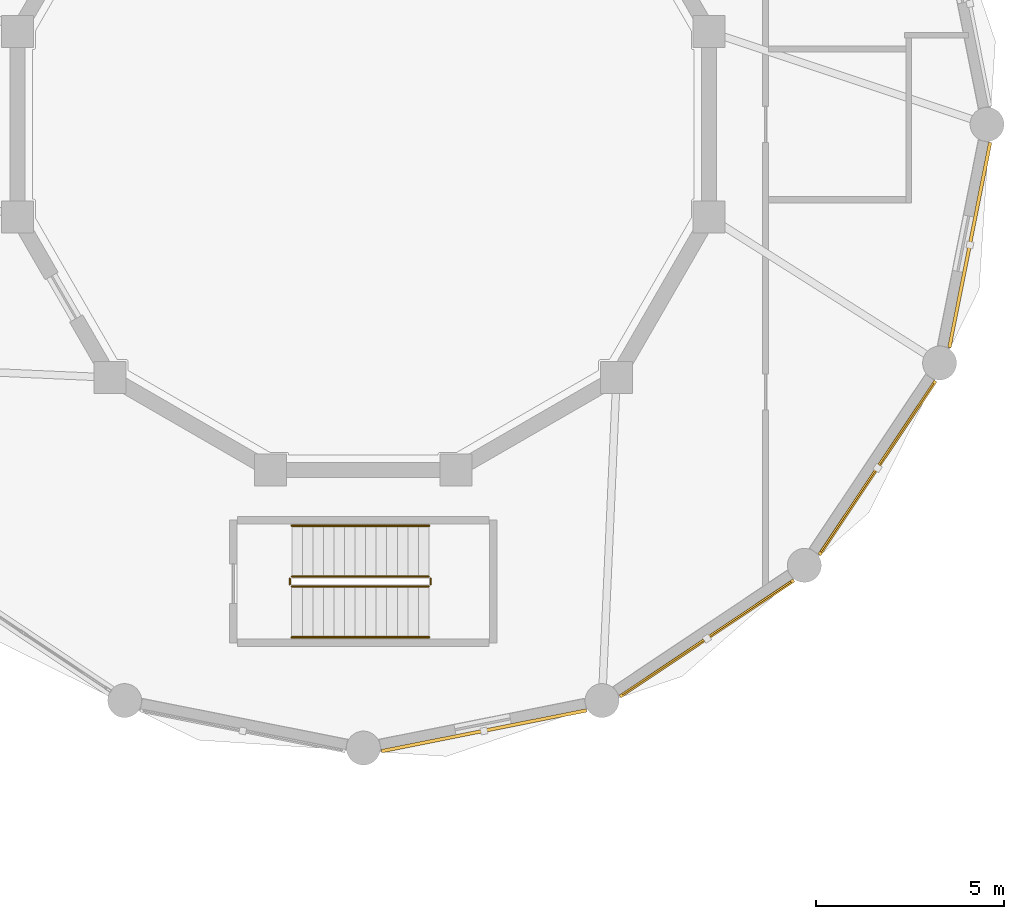
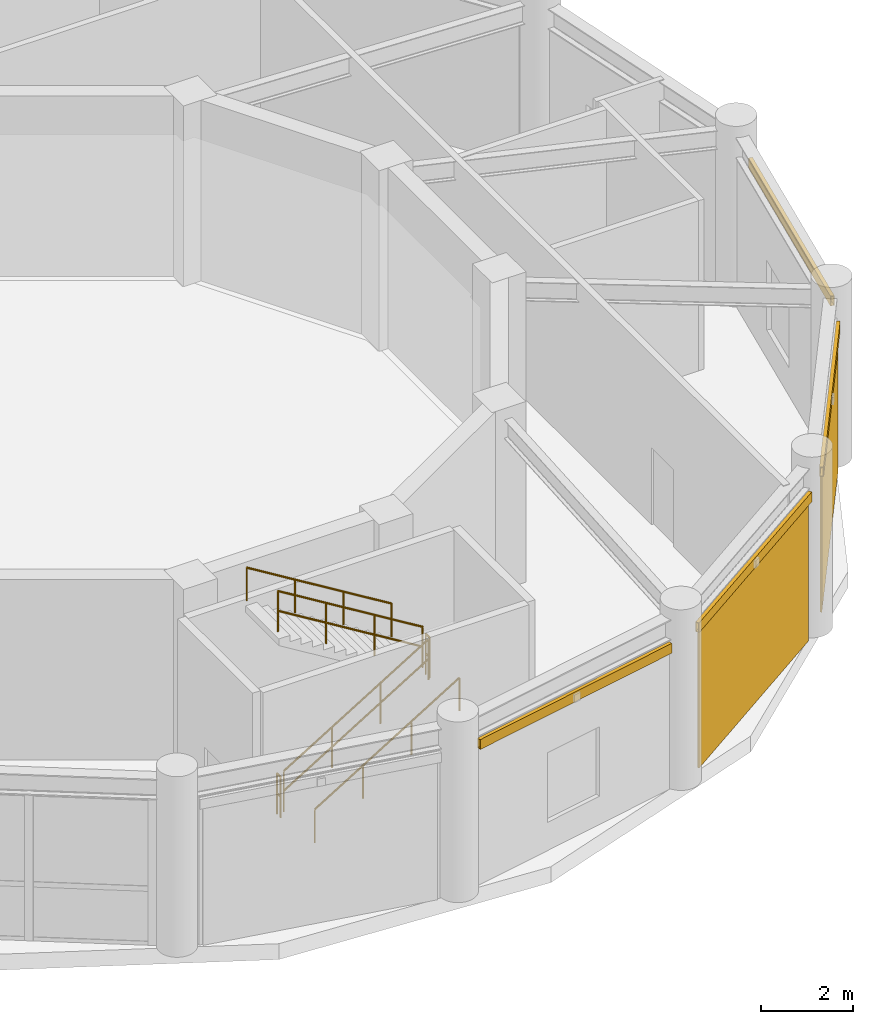
# One storey, part 45 of 48: 6 railings, 4 shading devices, 2 coverings.
"""IFC4 building model written with IfcOpenShell, lengths in metres."""

from ifc_helpers import new_model, si_unit, derived_unit, direction, frame, origin, origin_2d, place, context, subcontext, project, spatial, polyline, hollow_rectangle, circle, outline, extrude, source, transform, mapped, material, layer, layer_set, material_profile, profile_set, type_object, element, save


model = new_model("IFC4")

# Units and contexts
model_context = context("Model", 3, precision=1e-05, world=origin(), true_north=direction((0.0, 1.0)))
body_context = subcontext(model_context, "Body", "Model", "MODEL_VIEW")
ifc_project = project(units=[si_unit("LENGTHUNIT", "METRE"), si_unit("AREAUNIT", "SQUARE_METRE"), si_unit("VOLUMEUNIT", "CUBIC_METRE"), si_unit("PLANEANGLEUNIT", "RADIAN"), si_unit("MASSUNIT", "GRAM", prefix="KILO"), derived_unit("THERMALTRANSMITTANCEUNIT", [(si_unit("POWERUNIT", "WATT"), 1), (si_unit("LENGTHUNIT", "METRE"), -2), (si_unit("THERMODYNAMICTEMPERATUREUNIT", "KELVIN"), -1)])], contexts=[model_context])

# Site, building, storey
site_placement = place(None, origin())
site = spatial("IfcSite", under=ifc_project, at=site_placement, CompositionType="ELEMENT")
building_placement = place(site_placement, origin())
building = spatial("IfcBuilding", under=site, at=building_placement, Name="Korsvarv Bourse and Concert Hall", CompositionType="ELEMENT")
storey_placement = place(building_placement, frame((0.0, 0.0, 4.800048828125)))
storey = spatial("IfcBuildingStorey", under=building, at=storey_placement, Name="L01", CompositionType="ELEMENT", Elevation=4.800048828125)

# Coverings
ifc_material_1 = material(Name="Warm iron-oxide extruded terracotta rainscreen tile", Category="ceramic")
ifc_layer = layer(ifc_material_1, 0.044921875)
ifc_layer_set = layer_set([ifc_layer], Name="Warm iron-oxide extruded terracotta rainscreen tile")
covering_type = type_object("IfcCoveringType", Name="COV-CLD-TC", PredefinedType="CLADDING", material=ifc_layer_set)
covering_1_placement = place(storey_placement, origin())
element("IfcCovering", 1, at=covering_1_placement, inside=storey, type_object=covering_type, Name="L01 fluted terracotta cladding panel EW-L01-CHD14", PredefinedType="CLADDING", context=body_context, shape_type="SweptSolid", body=[
    extrude(outline(polyline([(113.6533203125, 20.894775390625), (118.1328125, 23.887939453125), (118.15771484375, 23.8505859375), (113.67822265625, 20.857421875), (113.6533203125, 20.894775390625)])), origin(), (0.0, 0.0, 1.0), 3.6298828125),
])
covering_2_placement = place(storey_placement, origin())
element("IfcCovering", 2, at=covering_2_placement, inside=storey, type_object=covering_type, Name="L01 fluted terracotta cladding panel EW-L01-CHD15", PredefinedType="CLADDING", context=body_context, shape_type="SweptSolid", body=[
    extrude(outline(polyline([(118.912109375, 24.667236328125), (121.9052734375, 29.146728515625), (121.942626953125, 29.121826171875), (118.949462890625, 24.64208984375), (118.912109375, 24.667236328125)])), origin(), (0.0, 0.0, 1.0), 3.6298828125),
])

# Railings
ifc_material_2 = material(Name="Painted Steel S355 stair well guardrail", Category="steel")
railing_type_1 = type_object("IfcRailingType", Name="RL-ST-GRD", PredefinedType="GUARDRAIL", material=ifc_material_2)
railing_1_placement = place(storey_placement, frame((104.89990234375, 23.739990234375, 0.17138671875)))
element("IfcRailing", 3, at=railing_1_placement, inside=storey, type_object=railing_type_1, Name="L01 ST-CH2 stair guard 1", PredefinedType="GUARDRAIL", context=body_context, shape_type="SweptSolid", body=[
    extrude(circle(Radius=0.02392578125, at=origin_2d()), frame((0.0, 0.0, 1.076171875), z_axis=(0.852865859571, 0.0, 0.52213008492), x_axis=(0.0, 1.0, 0.0)), (0.0, 0.0, 1.0), 4.26806640625),
    extrude(circle(Radius=0.02392578125, at=origin_2d()), frame((0.0, 0.0, 0.550048828125), z_axis=(0.852865859571, 0.0, 0.52213008492), x_axis=(0.0, 1.0, 0.0)), (0.0, 0.0, 1.0), 4.26806640625),
    extrude(circle(Radius=0.02099609375, at=origin_2d()), origin(), (0.0, 0.0, 1.0), 1.052001953125),
    extrude(circle(Radius=0.02099609375, at=origin_2d()), frame((1.21337890625, 0.0, 0.742919921875)), (0.0, 0.0, 1.0), 1.052001953125),
    extrude(circle(Radius=0.02099609375, at=origin_2d()), frame((2.4267578125, 0.0, 1.485595703125)), (0.0, 0.0, 1.0), 1.052001953125),
    extrude(circle(Radius=0.02099609375, at=origin_2d()), frame((3.64013671875, 0.0, 2.228515625)), (0.0, 0.0, 1.0), 1.052001953125),
])
railing_2_placement = place(storey_placement, frame((108.590087890625, 23.7900390625, 2.39990234375)))
element("IfcRailing", 4, at=railing_2_placement, inside=storey, type_object=railing_type_1, Name="L01 ST-CH2 stair guard 2", PredefinedType="GUARDRAIL", context=body_context, shape_type="SweptSolid", body=[
    extrude(circle(Radius=0.02392578125, at=origin_2d()), frame((0.0, 0.0, 1.076171875), z_axis=(0.0, 1.0, 0.0), x_axis=(-1.0, 0.0, 0.0)), (0.0, 0.0, 1.0), 0.159912109375),
    extrude(circle(Radius=0.02392578125, at=origin_2d()), frame((0.0, 0.0, 0.550048828125), z_axis=(0.0, 1.0, 0.0), x_axis=(-1.0, 0.0, 0.0)), (0.0, 0.0, 1.0), 0.159912109375),
    extrude(circle(Radius=0.02099609375, at=origin_2d()), origin(), (0.0, 0.0, 1.0), 1.052001953125),
    extrude(circle(Radius=0.02099609375, at=origin_2d()), frame((0.0, 0.159912109375, 0.0)), (0.0, 0.0, 1.0), 1.052001953125),
])
railing_3_placement = place(storey_placement, frame((108.5400390625, 24.0, 2.5712890625)))
element("IfcRailing", 5, at=railing_3_placement, inside=storey, type_object=railing_type_1, Name="L01 ST-CH2 stair guard 3", PredefinedType="GUARDRAIL", context=body_context, shape_type="SweptSolid", body=[
    extrude(circle(Radius=0.02392578125, at=origin_2d()), frame((0.0, 0.0, 1.076171875), z_axis=(-0.852840387347, 0.0, 0.522171689878), x_axis=(0.0, -1.0, 0.0)), (0.0, 0.0, 1.0), 4.268310546875),
    extrude(circle(Radius=0.02392578125, at=origin_2d()), frame((0.0, 0.0, 0.550048828125), z_axis=(-0.852840387347, 0.0, 0.522171689878), x_axis=(0.0, -1.0, 0.0)), (0.0, 0.0, 1.0), 4.268310546875),
    extrude(circle(Radius=0.02099609375, at=origin_2d()), origin(), (0.0, 0.0, 1.0), 1.052001953125),
    extrude(circle(Radius=0.02099609375, at=origin_2d()), frame((-1.21337890625, 0.0, 0.742919921875)), (0.0, 0.0, 1.0), 1.052001953125),
    extrude(circle(Radius=0.02099609375, at=origin_2d()), frame((-2.4267578125, 0.0, 1.48583984375)), (0.0, 0.0, 1.0), 1.052001953125),
    extrude(circle(Radius=0.02099609375, at=origin_2d()), frame((-3.64013671875, 0.0, 2.228759765625)), (0.0, 0.0, 1.0), 1.052001953125),
])
railing_4_placement = place(storey_placement, frame((104.85009765625, 23.7900390625, 0.0)))
element("IfcRailing", 6, at=railing_4_placement, inside=storey, type_object=railing_type_1, Name="L01 ST-CH2 stair guard 4", PredefinedType="GUARDRAIL", context=body_context, shape_type="SweptSolid", body=[
    extrude(circle(Radius=0.02392578125, at=origin_2d()), frame((0.0, 0.0, 1.076171875), z_axis=(0.0, 1.0, 0.0), x_axis=(-1.0, 0.0, 0.0)), (0.0, 0.0, 1.0), 0.159912109375),
    extrude(circle(Radius=0.02392578125, at=origin_2d()), frame((0.0, 0.0, 0.550048828125), z_axis=(0.0, 1.0, 0.0), x_axis=(-1.0, 0.0, 0.0)), (0.0, 0.0, 1.0), 0.159912109375),
    extrude(circle(Radius=0.02099609375, at=origin_2d()), origin(), (0.0, 0.0, 1.0), 1.052001953125),
    extrude(circle(Radius=0.02099609375, at=origin_2d()), frame((0.0, 0.159912109375, 0.0)), (0.0, 0.0, 1.0), 1.052001953125),
])
ifc_material_3 = material(Name="Brushed stainless Steel S355 tubular handrail", Category="steel")
railing_type_2 = type_object("IfcRailingType", Name="RL-ST-HND", PredefinedType="HANDRAIL", material=ifc_material_3)
railing_5_placement = place(storey_placement, frame((104.89990234375, 22.389892578125, 0.17138671875)))
element("IfcRailing", 7, at=railing_5_placement, inside=storey, type_object=railing_type_2, Name="L01 ST-CH2 stair handrail 1", PredefinedType="HANDRAIL", context=body_context, shape_type="SweptSolid", body=[
    extrude(circle(Radius=0.02392578125, at=origin_2d()), frame((0.0, 0.0, 0.8759765625), z_axis=(0.852865859571, 0.0, 0.52213008492), x_axis=(0.0, 1.0, 0.0)), (0.0, 0.0, 1.0), 4.26806640625),
    extrude(circle(Radius=0.02099609375, at=origin_2d()), origin(), (0.0, 0.0, 1.0), 0.851806640625),
    extrude(circle(Radius=0.02099609375, at=origin_2d()), frame((1.21337890625, 0.0, 0.742919921875)), (0.0, 0.0, 1.0), 0.851806640625),
    extrude(circle(Radius=0.02099609375, at=origin_2d()), frame((2.4267578125, 0.0, 1.485595703125)), (0.0, 0.0, 1.0), 0.851806640625),
    extrude(circle(Radius=0.02099609375, at=origin_2d()), frame((3.64013671875, 0.0, 2.228515625)), (0.0, 0.0, 1.0), 0.851806640625),
])
railing_6_placement = place(storey_placement, frame((108.5400390625, 25.35009765625, 2.5712890625)))
element("IfcRailing", 8, at=railing_6_placement, inside=storey, type_object=railing_type_2, Name="L01 ST-CH2 stair handrail 2", PredefinedType="HANDRAIL", context=body_context, shape_type="SweptSolid", body=[
    extrude(circle(Radius=0.02392578125, at=origin_2d()), frame((0.0, 0.0, 0.8759765625), z_axis=(-0.852840387347, 0.0, 0.522171689878), x_axis=(0.0, -1.0, 0.0)), (0.0, 0.0, 1.0), 4.268310546875),
    extrude(circle(Radius=0.02099609375, at=origin_2d()), origin(), (0.0, 0.0, 1.0), 0.851806640625),
    extrude(circle(Radius=0.02099609375, at=origin_2d()), frame((-1.21337890625, 0.0, 0.742919921875)), (0.0, 0.0, 1.0), 0.851806640625),
    extrude(circle(Radius=0.02099609375, at=origin_2d()), frame((-2.4267578125, 0.0, 1.48583984375)), (0.0, 0.0, 1.0), 0.851806640625),
    extrude(circle(Radius=0.02099609375, at=origin_2d()), frame((-3.64013671875, 0.0, 2.228759765625)), (0.0, 0.0, 1.0), 0.851806640625),
])

# Shading devices
ifc_material_4 = material(Name="Glazed extruded architectural terracotta", Category="ceramic")
ifc_material_profile = material_profile(ifc_material_4, hollow_rectangle(XDim=0.090087890625, YDim=0.260009765625, WallThickness=0.011962890625, at=origin_2d()), Name="TC-BAG 90x260")
ifc_profile_set = profile_set([ifc_material_profile], Name="Glazed extruded architectural terracotta")
shading_device_type = type_object("IfcShadingDeviceType", Name="SHD-BAG-1", PredefinedType="USERDEFINED", material=ifc_profile_set)
shared_shape = source(origin(), body_context, "Body", "SweptSolid", [
    extrude(hollow_rectangle(XDim=0.090087890625, YDim=0.260009765625, WallThickness=0.011962890625, at=origin_2d()), origin(), (0.0, 0.0, 1.0), 5.54736328125),
])
for number, where, z_axis, x_axis, name in (
    (9, (107.280517578125, 19.3671875, 3.7900390625), (0.980783277025, 0.195100393406, 0.0), (-0.195100393406, 0.980783277025, 0.0), "L01 terracotta baguette sunshade EW-L01-CHD13"),
    (10, (113.60888671875, 20.817138671875, 3.7900390625), (0.831467559129, 0.555573305798, 0.0), (-0.555573305798, 0.831467559129, 0.0), "L01 terracotta baguette sunshade EW-L01-CHD14"),
    (11, (118.90087890625, 24.57861328125, 3.7900390625), (0.555573305798, 0.831467559129, 0.0), (-0.831467559129, 0.555573305798, 0.0), "L01 terracotta baguette sunshade EW-L01-CHD15"),
    (12, (122.3505859375, 30.078857421875, 3.7900390625), (0.195100393406, 0.980783277025, 0.0), (-0.980783277025, 0.195100393406, 0.0), "L01 terracotta baguette sunshade EW-L01-CHD16"),
):
    element("IfcShadingDevice", number, at=place(storey_placement, frame(where, z_axis=z_axis, x_axis=x_axis)), inside=storey, type_object=shading_device_type, Name=name, ObjectType="BAGUETTE", PredefinedType="USERDEFINED", context=body_context, shape_type="MappedRepresentation", body=[
        mapped(shared_shape, transform((0.0, 0.0, 0.0), scale=1.0)),
    ])

save(model, "model.ifc")
